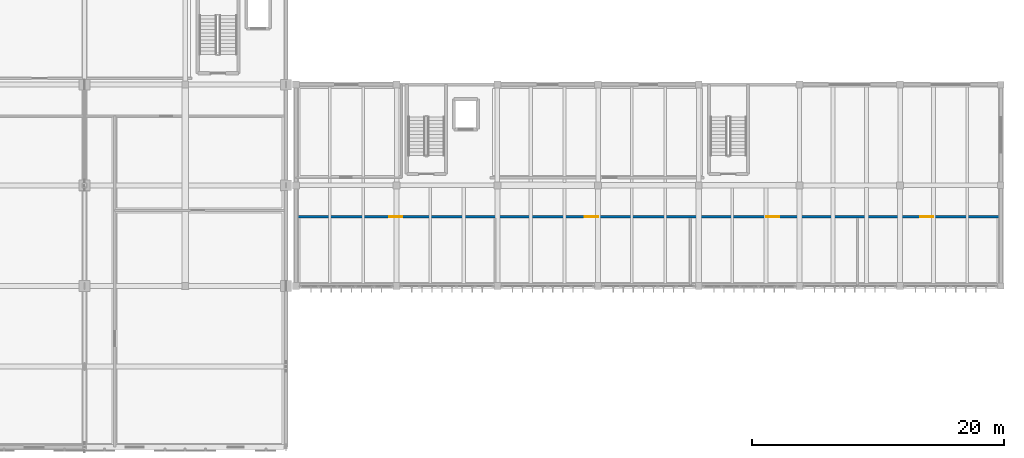
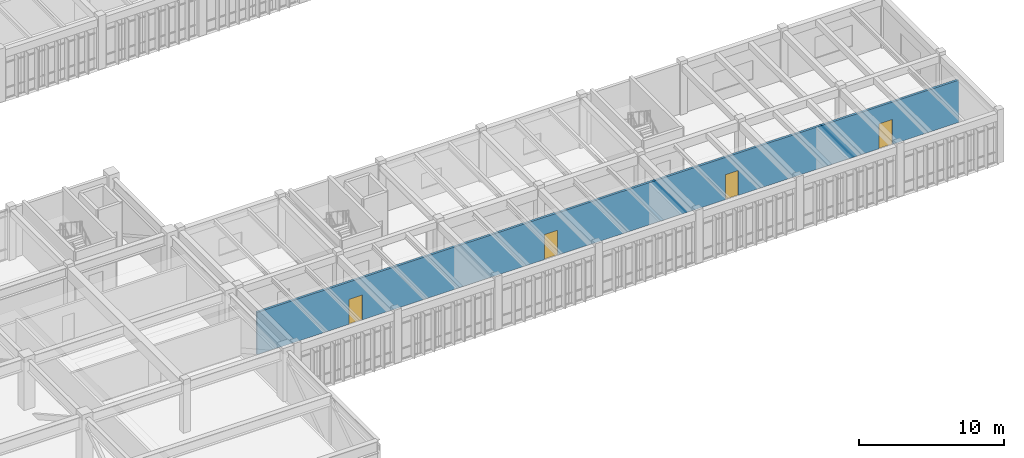
# One storey, part 56 of 79: 4 doors, 1 wall, 4 openings.
"""IFC4 building model written with IfcOpenShell, lengths in metres."""

import ifcopenshell
import ifcopenshell.guid

model = None  # the IFC model being written
_history = None  # IfcOwnerHistory: only IFC2X3 demands one
_inside = {}  # id of a spatial element -> (the spatial element, [elements in it])
_under = {}  # id of a project, library or spatial element -> (it, [spatial elements below it])
_declared = {}  # id of a project -> (the project, [libraries it declares])
_typed = {}  # id of a type object -> (the type object, [elements of that type])
_made_of = {}  # id of a material, layer set ... -> (it, [elements and type objects made of it])


def new_model(schema):
    """Start an empty IFC model of exactly this schema.

    Asked for "IFC4X3", IfcOpenShell would pick the latest addendum, in which some entities
    have other attributes; the version numbers below select the first issue.
    IFC2X3 requires an IfcOwnerHistory on every rooted entity: one is made here for all.
    """
    global model, _history
    if schema == "IFC4X3":
        model = ifcopenshell.file(schema_version=(4, 3, 0, 0))
    else:
        model = ifcopenshell.file(schema=schema)
    _inside.clear()
    _under.clear()
    _declared.clear()
    _typed.clear()
    _made_of.clear()
    _history = None
    if model.schema == "IFC2X3":
        org = make("IfcOrganization", Name="unknown")
        user = make(
            "IfcPersonAndOrganization",
            ThePerson=make("IfcPerson", FamilyName="unknown"),
            TheOrganization=org,
        )
        app = make(
            "IfcApplication",
            ApplicationDeveloper=org,
            Version="unknown",
            ApplicationFullName="unknown",
            ApplicationIdentifier="unknown",
        )
        _history = make(
            "IfcOwnerHistory",
            OwningUser=user,
            OwningApplication=app,
            ChangeAction="ADDED",
            CreationDate=0,
        )
    return model


def make(cls, **values):
    """One entity of the class cls with the attributes given. An attribute that is None is left unset."""
    return model.create_entity(
        cls, **{name: value for name, value in values.items() if value is not None}
    )


def rooted(cls, **values):
    """An entity with a GlobalId (a new one), such as an element, a storey or a relation."""
    return make(cls, GlobalId=ifcopenshell.guid.new(), OwnerHistory=_history, **values)


def si_unit(unit_type, name, prefix=None):
    """IfcSIUnit, for example si_unit("LENGTHUNIT", "METRE", prefix="MILLI")."""
    return make("IfcSIUnit", UnitType=unit_type, Prefix=prefix, Name=name)


def assignment(units):
    """IfcUnitAssignment: the units of a project."""
    return None if units is None else make("IfcUnitAssignment", Units=units)


def point(xyz):
    """IfcCartesianPoint."""
    return None if xyz is None else make("IfcCartesianPoint", Coordinates=xyz)


def direction(xyz):
    """IfcDirection."""
    return None if xyz is None else make("IfcDirection", DirectionRatios=xyz)


def frame(location, z_axis=None, x_axis=None):
    """IfcAxis2Placement3D, a coordinate frame: its origin and axes. An axis left out is left unset."""
    return make(
        "IfcAxis2Placement3D",
        Location=point(location),
        Axis=direction(z_axis),
        RefDirection=direction(x_axis),
    )


def frame_2d(location, x_axis=None):
    """IfcAxis2Placement2D, a coordinate frame in the plane: its origin and x axis."""
    return make(
        "IfcAxis2Placement2D", Location=point(location), RefDirection=direction(x_axis)
    )


def origin():
    """The frame at (0, 0, 0) with its axes left unset."""
    return frame((0.0, 0.0, 0.0))


def place(relative_to, where):
    """IfcLocalPlacement: puts the frame where relative to a parent placement (None: the world)."""
    return make(
        "IfcLocalPlacement", PlacementRelTo=relative_to, RelativePlacement=where
    )


def context(
    kind, dimensions, precision=None, world=None, true_north=None, identifier=None
):
    """IfcGeometricRepresentationContext, for example the 3D "Model" context."""
    return make(
        "IfcGeometricRepresentationContext",
        ContextIdentifier=identifier,
        ContextType=kind,
        CoordinateSpaceDimension=dimensions,
        Precision=precision,
        WorldCoordinateSystem=world,
        TrueNorth=true_north,
    )


def subcontext(parent, identifier, kind, view, scale=None):
    """IfcGeometricRepresentationSubContext, for example "Body" below "Model"."""
    return make(
        "IfcGeometricRepresentationSubContext",
        ContextIdentifier=identifier,
        ContextType=kind,
        ParentContext=parent,
        TargetScale=scale,
        TargetView=view,
    )


def project(units=None, contexts=None):
    """IfcProject with its units and contexts."""
    return rooted(
        "IfcProject",
        Name="project",
        RepresentationContexts=contexts,
        UnitsInContext=assignment(units),
    )


def spatial(cls, under=None, at=None, **own):
    """A site, building, storey or space (cls), placed at a placement, below another one or the project."""
    s = rooted(cls, ObjectPlacement=at, **own)
    if under is not None:
        _under.setdefault(under.id(), (under, []))[1].append(s)
    return s


def profile(cls, at=None, kind="AREA", **sizes):
    """A parametric profile (cls). Its sizes go by their IFC names, for example OverallWidth=200.0."""
    return make(cls, ProfileType=kind, Position=at, **sizes)


def rectangle(**sizes):
    """IfcRectangleProfileDef."""
    return profile("IfcRectangleProfileDef", **sizes)


def extrude(swept, where, along, depth):
    """IfcExtrudedAreaSolid: the profile swept, set in the frame where, extruded along a direction by depth."""
    return make(
        "IfcExtrudedAreaSolid",
        SweptArea=swept,
        Position=where,
        ExtrudedDirection=direction(along),
        Depth=depth,
    )


def shape(context_of_items, identifier, shape_type, items):
    """IfcShapeRepresentation: the items that make up one representation, for example the "Body"."""
    return make(
        "IfcShapeRepresentation",
        ContextOfItems=context_of_items,
        RepresentationIdentifier=identifier,
        RepresentationType=shape_type,
        Items=items,
    )


def material(Name=None, Category=None):
    """IfcMaterial."""
    return make("IfcMaterial", Name=Name, Category=Category)


def layer(
    of_material, thickness, ventilated=None, Name=None, Category=None, Priority=None
):
    """IfcMaterialLayer: one layer of a wall or slab, of a material (None: an air gap)."""
    return make(
        "IfcMaterialLayer",
        Material=of_material,
        LayerThickness=thickness,
        IsVentilated=ventilated,
        Name=Name,
        Category=Category,
        Priority=Priority,
    )


def layer_set(layers, Name=None):
    """IfcMaterialLayerSet."""
    return make("IfcMaterialLayerSet", MaterialLayers=layers, LayerSetName=Name)


def made_of(thing, what):
    """Note that an element or type object is made of a material, layer set ...; save() writes the relation."""
    if what is not None:
        _made_of.setdefault(what.id(), (what, []))[1].append(thing)
    return thing


def type_object(cls, material=None, **own):
    """A type object (cls), such as IfcWallType, which elements share."""
    return made_of(rooted(cls, **own), material)


def element(
    cls,
    number,
    at=None,
    inside=None,
    cuts=None,
    type_object=None,
    material=None,
    context=None,
    identifier="Body",
    shape_type=None,
    held_by="IfcProductDefinitionShape",
    body=None,
    shapes=None,
    **own,
):
    """One element of the class cls, such as IfcWall. Its Tag is "e" and its number.

    at: its placement. inside: the storey or other place that contains it. cuts: it is an
    opening in that element (IfcRelVoidsElement). A single representation is given by context,
    identifier, shape_type and body (its items); several are given by shapes. held_by: the class
    of the entity that holds the representations. save() writes the other relations.
    """
    e = rooted(cls, Tag="e%d" % number, ObjectPlacement=at, **own)
    if body is not None:
        shapes = [shape(context, identifier, shape_type, body)]
    if shapes is not None:
        e.Representation = make(held_by, Representations=shapes)
    if inside is not None:
        _inside.setdefault(inside.id(), (inside, []))[1].append(e)
    if cuts is not None:
        rooted(
            "IfcRelVoidsElement", RelatingBuildingElement=cuts, RelatedOpeningElement=e
        )
    if type_object is not None:
        _typed.setdefault(type_object.id(), (type_object, []))[1].append(e)
    return made_of(e, material)


def fill(opening, filler):
    """IfcRelFillsElement: the door or window that sits in an opening."""
    return rooted(
        "IfcRelFillsElement",
        RelatingOpeningElement=opening,
        RelatedBuildingElement=filler,
    )


def aggregate(whole, parts):
    """IfcRelAggregates: a whole, such as a stair, and the parts it consists of."""
    return rooted("IfcRelAggregates", RelatingObject=whole, RelatedObjects=parts)


def save(model, path):
    """Write the relations noted so far, then the file.

    IfcRelAggregates (storeys below a building ...), IfcRelContainedInSpatialStructure (elements
    in a storey), IfcRelDefinesByType, IfcRelAssociatesMaterial and IfcRelDeclares: one each for
    every whole, place, type object, material and project.
    """
    for whole, parts in _under.values():
        aggregate(whole, parts)
    for where, things in _inside.values():
        rooted(
            "IfcRelContainedInSpatialStructure",
            RelatedElements=things,
            RelatingStructure=where,
        )
    for kind, things in _typed.values():
        rooted("IfcRelDefinesByType", RelatedObjects=things, RelatingType=kind)
    for what, things in _made_of.values():
        rooted("IfcRelAssociatesMaterial", RelatedObjects=things, RelatingMaterial=what)
    for by, libraries in _declared.values():
        rooted("IfcRelDeclares", RelatingContext=by, RelatedDefinitions=libraries)
    model.write(path)


model = new_model("IFC4")

# Units and contexts
model_context = context("Model", 3, precision=1e-05, world=origin(), true_north=direction((0.0, 1.0)))
body_context = subcontext(model_context, "Body", "Model", "MODEL_VIEW")
ifc_project = project(units=[si_unit("LENGTHUNIT", "METRE"), si_unit("AREAUNIT", "SQUARE_METRE"), si_unit("VOLUMEUNIT", "CUBIC_METRE"), si_unit("PLANEANGLEUNIT", "RADIAN"), si_unit("MASSUNIT", "GRAM", prefix="KILO")], contexts=[model_context])

# Site, building, storey
site_placement = place(None, origin())
site = spatial("IfcSite", under=ifc_project, at=site_placement, CompositionType="ELEMENT")
building_placement = place(site_placement, origin())
building = spatial("IfcBuilding", under=site, at=building_placement, Name="Tlaxcora Railside Police Headquarters", CompositionType="ELEMENT")
storey_placement = place(building_placement, frame((0.0, 0.0, 9.0)))
storey = spatial("IfcBuildingStorey", under=building, at=storey_placement, Name="L02", CompositionType="ELEMENT", Elevation=9.0)

# Wall, openings, doors
ifc_material_1 = material(Name="Gypsum acoustic partition board")
ifc_layer = layer(ifc_material_1, 0.175048828125, Name="Gypsum acoustic partition board")
ifc_layer_set = layer_set([ifc_layer], Name="Gypsum acoustic partition board")
wall_type = type_object("IfcWallType", Name="Interior Partition Wall IW-22", PredefinedType="PARTITIONING", material=ifc_layer_set)
wall_placement = place(storey_placement, frame((102.8798828125, 41.5, 0.0), z_axis=(0.0, 0.0, 1.0), x_axis=(1.0, 0.0, 0.0)))
wall = element("IfcWall", 1, at=wall_placement, inside=storey, type_object=wall_type, Name="V7 L02 interior partition 142", PredefinedType="PARTITIONING", context=body_context, shape_type="SweptSolid", body=[
    extrude(rectangle(XDim=55.840087890625, YDim=0.175048828125, at=frame_2d((27.919921875, 0.0))), origin(), (0.0, 0.0, 1.0), 3.554931640625),
])
opening_1_placement = place(wall_placement, frame((7.320068359375, 0.0, 0.0)))
opening_1 = element("IfcOpeningElement", 2, at=opening_1_placement, cuts=wall, Name="Opening D-L02-175", PredefinedType="OPENING", context=body_context, shape_type="SweptSolid", body=[
    extrude(rectangle(XDim=1.050048828125, YDim=2.10009765625, at=frame_2d((0.52490234375, 1.050048828125))), frame((0.0, 0.09765625, 0.0), z_axis=(0.0, -1.0, 0.0), x_axis=(1.0, 0.0, 0.0)), (0.0, 0.0, 1.0), 0.195068359375),
])
opening_2_placement = place(wall_placement, frame((22.8701171875, 0.0, 0.0)))
opening_2 = element("IfcOpeningElement", 3, at=opening_2_placement, cuts=wall, Name="Opening D-L02-176", PredefinedType="OPENING", context=body_context, shape_type="SweptSolid", body=[
    extrude(rectangle(XDim=1.050048828125, YDim=2.10009765625, at=frame_2d((0.52490234375, 1.050048828125))), frame((0.0, 0.09765625, 0.0), z_axis=(0.0, -1.0, 0.0), x_axis=(1.0, 0.0, 0.0)), (0.0, 0.0, 1.0), 0.195068359375),
])
opening_3_placement = place(wall_placement, frame((37.27001953125, 0.0, 0.0)))
opening_3 = element("IfcOpeningElement", 4, at=opening_3_placement, cuts=wall, Name="Opening D-L02-177", PredefinedType="OPENING", context=body_context, shape_type="SweptSolid", body=[
    extrude(rectangle(XDim=1.050048828125, YDim=2.10009765625, at=frame_2d((0.52490234375, 1.050048828125))), frame((0.0, 0.09765625, 0.0), z_axis=(0.0, -1.0, 0.0), x_axis=(1.0, 0.0, 0.0)), (0.0, 0.0, 1.0), 0.195068359375),
])
opening_4_placement = place(wall_placement, frame((49.5, 0.0, 0.0)))
opening_4 = element("IfcOpeningElement", 5, at=opening_4_placement, cuts=wall, Name="Opening D-L02-178", PredefinedType="OPENING", context=body_context, shape_type="SweptSolid", body=[
    extrude(rectangle(XDim=1.050048828125, YDim=2.10009765625, at=frame_2d((0.52490234375, 1.050048828125))), frame((0.0, 0.09765625, 0.0), z_axis=(0.0, -1.0, 0.0), x_axis=(1.0, 0.0, 0.0)), (0.0, 0.0, 1.0), 0.195068359375),
])
ifc_material_2 = material(Name="Steel ASTM A992 Grade 50", Category="steel")
door_type = type_object("IfcDoorType", Name="Swing or Sliding Personnel Door ID-52", OperationType="NOTDEFINED", PredefinedType="DOOR", material=ifc_material_2)
door_1_placement = place(opening_1_placement, origin())
door_1 = element("IfcDoor", 6, at=door_1_placement, inside=storey, type_object=door_type, Name="V7 L02 door D-L02-175", OperationType="SINGLE_SWING_LEFT", OverallHeight=2.10009765625, OverallWidth=1.050048828125, PredefinedType="DOOR", context=body_context, shape_type="SweptSolid", body=[
    extrude(rectangle(XDim=1.050048828125, YDim=2.10009765625, at=frame_2d((0.52490234375, 1.050048828125))), frame((0.0, 0.02490234375, 0.0), z_axis=(0.0, -1.0, 0.0), x_axis=(1.0, 0.0, 0.0)), (0.0, 0.0, 1.0), 0.050048828125),
])
fill(opening_1, door_1)
door_2_placement = place(opening_2_placement, origin())
door_2 = element("IfcDoor", 7, at=door_2_placement, inside=storey, type_object=door_type, Name="V7 L02 door D-L02-176", OperationType="SINGLE_SWING_RIGHT", OverallHeight=2.10009765625, OverallWidth=1.050048828125, PredefinedType="DOOR", context=body_context, shape_type="SweptSolid", body=[
    extrude(rectangle(XDim=1.050048828125, YDim=2.10009765625, at=frame_2d((0.52490234375, 1.050048828125))), frame((0.0, 0.02490234375, 0.0), z_axis=(0.0, -1.0, 0.0), x_axis=(1.0, 0.0, 0.0)), (0.0, 0.0, 1.0), 0.050048828125),
])
fill(opening_2, door_2)
door_3_placement = place(opening_3_placement, origin())
door_3 = element("IfcDoor", 8, at=door_3_placement, inside=storey, type_object=door_type, Name="V7 L02 door D-L02-177", OperationType="SINGLE_SWING_LEFT", OverallHeight=2.10009765625, OverallWidth=1.050048828125, PredefinedType="DOOR", context=body_context, shape_type="SweptSolid", body=[
    extrude(rectangle(XDim=1.050048828125, YDim=2.10009765625, at=frame_2d((0.52490234375, 1.050048828125))), frame((0.0, 0.02490234375, 0.0), z_axis=(0.0, -1.0, 0.0), x_axis=(1.0, 0.0, 0.0)), (0.0, 0.0, 1.0), 0.050048828125),
])
fill(opening_3, door_3)
door_4_placement = place(opening_4_placement, origin())
door_4 = element("IfcDoor", 9, at=door_4_placement, inside=storey, type_object=door_type, Name="V7 L02 door D-L02-178", OperationType="SINGLE_SWING_RIGHT", OverallHeight=2.10009765625, OverallWidth=1.050048828125, PredefinedType="DOOR", context=body_context, shape_type="SweptSolid", body=[
    extrude(rectangle(XDim=1.050048828125, YDim=2.10009765625, at=frame_2d((0.52490234375, 1.050048828125))), frame((0.0, 0.02490234375, 0.0), z_axis=(0.0, -1.0, 0.0), x_axis=(1.0, 0.0, 0.0)), (0.0, 0.0, 1.0), 0.050048828125),
])
fill(opening_4, door_4)

save(model, "model.ifc")
